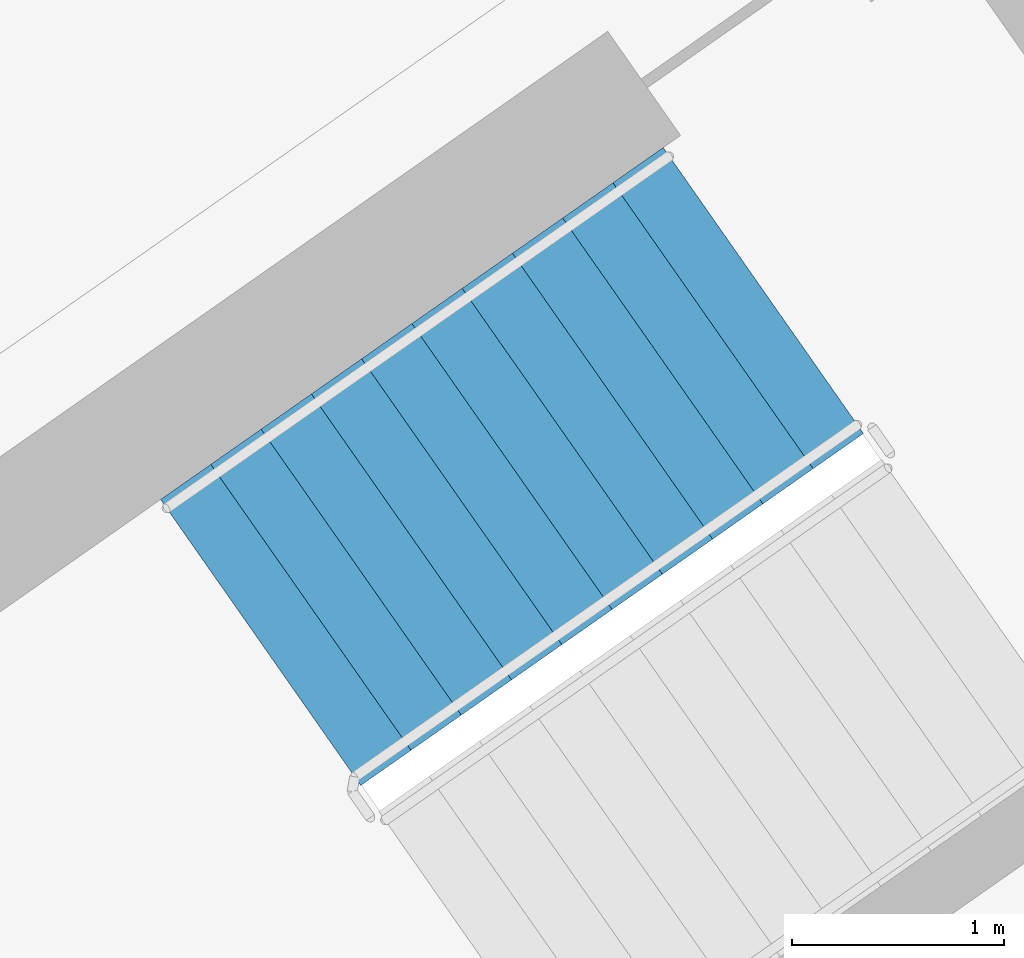
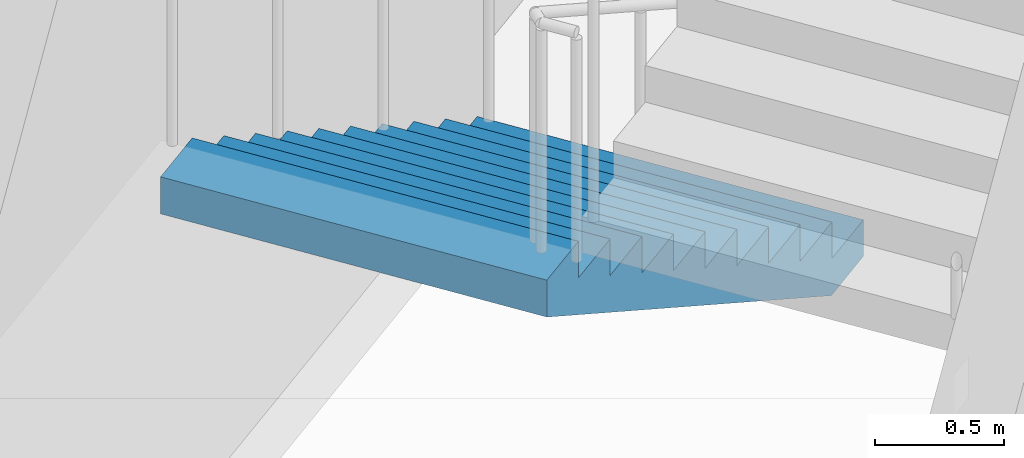
# One storey, part 16 of 27: 1 stair flight, 1 element without a shape of its own.
"""IFC4 building model written with IfcOpenShell, lengths in metres."""

from ifc_helpers import new_model, si_unit, direction, frame, origin, place, context, subcontext, project, spatial, faceted_brep, material, type_object, element, aggregate, save


model = new_model("IFC4")

# Units and contexts
model_context = context("Model", 3, precision=1e-05, world=origin(), true_north=direction((0.0, 1.0)))
body_context = subcontext(model_context, "Body", "Model", "MODEL_VIEW")
ifc_project = project(units=[si_unit("LENGTHUNIT", "METRE"), si_unit("AREAUNIT", "SQUARE_METRE"), si_unit("VOLUMEUNIT", "CUBIC_METRE"), si_unit("PLANEANGLEUNIT", "RADIAN"), si_unit("MASSUNIT", "GRAM", prefix="KILO")], contexts=[model_context])

# Site, building, storey
site_placement = place(None, origin())
site = spatial("IfcSite", under=ifc_project, at=site_placement, CompositionType="ELEMENT")
building_placement = place(site_placement, origin())
building = spatial("IfcBuilding", under=site, at=building_placement, Name="Qamariyya Broadcast Tower", CompositionType="ELEMENT")
storey_placement = place(building_placement, frame((0.0, 0.0, 222.699951171875)))
storey = spatial("IfcBuildingStorey", under=building, at=storey_placement, Name="L53", CompositionType="ELEMENT", Elevation=222.699951171875)

# Stair, stair flight
ifc_material = material(Name="Concrete C50/60", Category="concrete")
stair_type = type_object("IfcStairType", Name="Exit stair 22 risers of 173 mm", PredefinedType="HALF_TURN_STAIR", material=ifc_material)
stair_placement = place(storey_placement, origin())
stair = element("IfcStair", 1, at=stair_placement, inside=storey, type_object=stair_type, Name="L53 Stair E2", PredefinedType="HALF_TURN_STAIR")
stair_flight_type = type_object("IfcStairFlightType", Name="Exit stair flight 11 risers of 173 mm", PredefinedType="STRAIGHT", material=ifc_material)
stair_flight_placement = place(storey_placement, frame((40.558837890625, -47.685302734375, 0.0), z_axis=(0.0, 0.0, 1.0), x_axis=(-0.819152044289, -0.573576436351, 0.0)))
stair_flight = element("IfcStairFlight", 2, at=stair_flight_placement, type_object=stair_flight_type, Name="ST-E2 flight 1", NumberOfRisers=11, NumberOfTreads=10, PredefinedType="STRAIGHT", RiserHeight=0.172727273, TreadLength=0.29, context=body_context, shape_type="Brep", body=[
    faceted_brep([(0.0, 0.824951171875, 0.0), (0.0, 0.824951171875, 0.172607421875), (0.2900390625, 0.824951171875, 0.172607421875), (0.2900390625, 0.824951171875, 0.345458984375), (0.580078125, 0.824951171875, 0.345458984375), (0.580078125, 0.824951171875, 0.51806640625), (0.8701171875, 0.824951171875, 0.51806640625), (0.8701171875, 0.824951171875, 0.69091796875), (1.159912109375, 0.824951171875, 0.69091796875), (1.159912109375, 0.824951171875, 0.863525390625), (1.449951171875, 0.824951171875, 0.863525390625), (1.449951171875, 0.824951171875, 1.036376953125), (1.739990234375, 0.824951171875, 1.036376953125), (1.739990234375, 0.824951171875, 1.208984375), (2.030029296875, 0.824951171875, 1.208984375), (2.030029296875, 0.824951171875, 1.3818359375), (2.320068359375, 0.824951171875, 1.3818359375), (2.320068359375, 0.824951171875, 1.554443359375), (2.610107421875, 0.824951171875, 1.554443359375), (2.610107421875, 0.824951171875, 1.727294921875), (2.89990234375, 0.824951171875, 1.727294921875), (2.89990234375, 0.824951171875, 1.552734375), (0.29296875, 0.824951171875, 0.0), (0.29296875, -0.824951171875, 0.0), (2.89990234375, -0.824951171875, 1.552734375), (2.89990234375, -0.824951171875, 1.727294921875), (2.610107421875, -0.824951171875, 1.727294921875), (2.610107421875, -0.824951171875, 1.554443359375), (2.320068359375, -0.824951171875, 1.554443359375), (2.320068359375, -0.824951171875, 1.3818359375), (2.030029296875, -0.824951171875, 1.3818359375), (2.030029296875, -0.824951171875, 1.208984375), (1.739990234375, -0.824951171875, 1.208984375), (1.739990234375, -0.824951171875, 1.036376953125), (1.449951171875, -0.824951171875, 1.036376953125), (1.449951171875, -0.824951171875, 0.863525390625), (1.159912109375, -0.824951171875, 0.863525390625), (1.159912109375, -0.824951171875, 0.69091796875), (0.8701171875, -0.824951171875, 0.69091796875), (0.8701171875, -0.824951171875, 0.51806640625), (0.580078125, -0.824951171875, 0.51806640625), (0.580078125, -0.824951171875, 0.345458984375), (0.2900390625, -0.824951171875, 0.345458984375), (0.2900390625, -0.824951171875, 0.172607421875), (0.0, -0.824951171875, 0.172607421875), (0.0, -0.824951171875, 0.0), (0.0, 0.10009765625, 0.0), (0.0, 0.086669921875, 0.0), (0.0, 0.0732421875, 0.0), (0.0, 0.06005859375, 0.0), (0.0, 0.046630859375, 0.0), (0.0, 0.033447265625, 0.0), (0.0, 0.02001953125, 0.0), (0.0, 0.006591796875, 0.0), (0.0, -0.006591796875, 0.0), (0.0, -0.02001953125, 0.0), (0.0, -0.033447265625, 0.0), (0.0, -0.046630859375, 0.0), (0.0, -0.06005859375, 0.0), (0.0, -0.0732421875, 0.0), (0.0, -0.086669921875, 0.0), (0.0, -0.10009765625, 0.0), (0.0, -0.10009765625, 0.172607421875), (0.0, -0.086669921875, 0.172607421875), (0.0, -0.0732421875, 0.172607421875), (0.0, -0.06005859375, 0.172607421875), (0.0, -0.046630859375, 0.172607421875), (0.0, -0.033447265625, 0.172607421875), (0.0, -0.02001953125, 0.172607421875), (0.0, -0.006591796875, 0.172607421875), (0.0, 0.006591796875, 0.172607421875), (0.0, 0.02001953125, 0.172607421875), (0.0, 0.033447265625, 0.172607421875), (0.0, 0.046630859375, 0.172607421875), (0.0, 0.06005859375, 0.172607421875), (0.0, 0.0732421875, 0.172607421875), (0.0, 0.086669921875, 0.172607421875), (0.0, 0.10009765625, 0.172607421875), (0.2900390625, -0.10009765625, 0.172607421875), (0.2900390625, -0.086669921875, 0.172607421875), (0.2900390625, -0.0732421875, 0.172607421875), (0.2900390625, -0.06005859375, 0.172607421875), (0.2900390625, -0.046630859375, 0.172607421875), (0.2900390625, -0.033447265625, 0.172607421875), (0.2900390625, -0.02001953125, 0.172607421875), (0.2900390625, -0.006591796875, 0.172607421875), (0.2900390625, 0.006591796875, 0.172607421875), (0.2900390625, 0.02001953125, 0.172607421875), (0.2900390625, 0.033447265625, 0.172607421875), (0.2900390625, 0.046630859375, 0.172607421875), (0.2900390625, 0.06005859375, 0.172607421875), (0.2900390625, 0.0732421875, 0.172607421875), (0.2900390625, 0.086669921875, 0.172607421875), (0.2900390625, 0.10009765625, 0.172607421875), (0.2900390625, -0.10009765625, 0.345458984375), (0.2900390625, -0.086669921875, 0.345458984375), (0.2900390625, -0.0732421875, 0.345458984375), (0.2900390625, -0.06005859375, 0.345458984375), (0.2900390625, -0.046630859375, 0.345458984375), (0.2900390625, -0.033447265625, 0.345458984375), (0.2900390625, -0.02001953125, 0.345458984375), (0.2900390625, -0.006591796875, 0.345458984375), (0.2900390625, 0.006591796875, 0.345458984375), (0.2900390625, 0.02001953125, 0.345458984375), (0.2900390625, 0.033447265625, 0.345458984375), (0.2900390625, 0.046630859375, 0.345458984375), (0.2900390625, 0.06005859375, 0.345458984375), (0.2900390625, 0.0732421875, 0.345458984375), (0.2900390625, 0.086669921875, 0.345458984375), (0.2900390625, 0.10009765625, 0.345458984375), (0.580078125, -0.10009765625, 0.345458984375), (0.580078125, -0.086669921875, 0.345458984375), (0.580078125, -0.0732421875, 0.345458984375), (0.580078125, -0.06005859375, 0.345458984375), (0.580078125, -0.046630859375, 0.345458984375), (0.580078125, -0.033447265625, 0.345458984375), (0.580078125, -0.02001953125, 0.345458984375), (0.580078125, -0.006591796875, 0.345458984375), (0.580078125, 0.006591796875, 0.345458984375), (0.580078125, 0.02001953125, 0.345458984375), (0.580078125, 0.033447265625, 0.345458984375), (0.580078125, 0.046630859375, 0.345458984375), (0.580078125, 0.06005859375, 0.345458984375), (0.580078125, 0.0732421875, 0.345458984375), (0.580078125, 0.086669921875, 0.345458984375), (0.580078125, 0.10009765625, 0.345458984375), (0.580078125, -0.10009765625, 0.51806640625), (0.580078125, -0.086669921875, 0.51806640625), (0.580078125, -0.0732421875, 0.51806640625), (0.580078125, -0.06005859375, 0.51806640625), (0.580078125, -0.046630859375, 0.51806640625), (0.580078125, -0.033447265625, 0.51806640625), (0.580078125, -0.02001953125, 0.51806640625), (0.580078125, -0.006591796875, 0.51806640625), (0.580078125, 0.006591796875, 0.51806640625), (0.580078125, 0.02001953125, 0.51806640625), (0.580078125, 0.033447265625, 0.51806640625), (0.580078125, 0.046630859375, 0.51806640625), (0.580078125, 0.06005859375, 0.51806640625), (0.580078125, 0.0732421875, 0.51806640625), (0.580078125, 0.086669921875, 0.51806640625), (0.580078125, 0.10009765625, 0.51806640625), (0.8701171875, -0.10009765625, 0.51806640625), (0.8701171875, -0.086669921875, 0.51806640625), (0.8701171875, -0.0732421875, 0.51806640625), (0.8701171875, -0.06005859375, 0.51806640625), (0.8701171875, -0.046630859375, 0.51806640625), (0.8701171875, -0.033447265625, 0.51806640625), (0.8701171875, -0.02001953125, 0.51806640625), (0.8701171875, -0.006591796875, 0.51806640625), (0.8701171875, 0.006591796875, 0.51806640625), (0.8701171875, 0.02001953125, 0.51806640625), (0.8701171875, 0.033447265625, 0.51806640625), (0.8701171875, 0.046630859375, 0.51806640625), (0.8701171875, 0.06005859375, 0.51806640625), (0.8701171875, 0.0732421875, 0.51806640625), (0.8701171875, 0.086669921875, 0.51806640625), (0.8701171875, 0.10009765625, 0.51806640625), (0.8701171875, -0.10009765625, 0.69091796875), (0.8701171875, -0.086669921875, 0.69091796875), (0.8701171875, -0.0732421875, 0.69091796875), (0.8701171875, -0.06005859375, 0.69091796875), (0.8701171875, -0.046630859375, 0.69091796875), (0.8701171875, -0.033447265625, 0.69091796875), (0.8701171875, -0.02001953125, 0.69091796875), (0.8701171875, -0.006591796875, 0.69091796875), (0.8701171875, 0.006591796875, 0.69091796875), (0.8701171875, 0.02001953125, 0.69091796875), (0.8701171875, 0.033447265625, 0.69091796875), (0.8701171875, 0.046630859375, 0.69091796875), (0.8701171875, 0.06005859375, 0.69091796875), (0.8701171875, 0.0732421875, 0.69091796875), (0.8701171875, 0.086669921875, 0.69091796875), (0.8701171875, 0.10009765625, 0.69091796875), (1.159912109375, -0.10009765625, 0.69091796875), (1.159912109375, -0.086669921875, 0.69091796875), (1.159912109375, -0.0732421875, 0.69091796875), (1.159912109375, -0.06005859375, 0.69091796875), (1.159912109375, -0.046630859375, 0.69091796875), (1.159912109375, -0.033447265625, 0.69091796875), (1.159912109375, -0.02001953125, 0.69091796875), (1.159912109375, -0.006591796875, 0.69091796875), (1.159912109375, 0.006591796875, 0.69091796875), (1.159912109375, 0.02001953125, 0.69091796875), (1.159912109375, 0.033447265625, 0.69091796875), (1.159912109375, 0.046630859375, 0.69091796875), (1.159912109375, 0.06005859375, 0.69091796875), (1.159912109375, 0.0732421875, 0.69091796875), (1.159912109375, 0.086669921875, 0.69091796875), (1.159912109375, 0.10009765625, 0.69091796875), (1.159912109375, -0.10009765625, 0.863525390625), (1.159912109375, -0.086669921875, 0.863525390625), (1.159912109375, -0.0732421875, 0.863525390625), (1.159912109375, -0.06005859375, 0.863525390625), (1.159912109375, -0.046630859375, 0.863525390625), (1.159912109375, -0.033447265625, 0.863525390625), (1.159912109375, -0.02001953125, 0.863525390625), (1.159912109375, -0.006591796875, 0.863525390625), (1.159912109375, 0.006591796875, 0.863525390625), (1.159912109375, 0.02001953125, 0.863525390625), (1.159912109375, 0.033447265625, 0.863525390625), (1.159912109375, 0.046630859375, 0.863525390625), (1.159912109375, 0.06005859375, 0.863525390625), (1.159912109375, 0.0732421875, 0.863525390625), (1.159912109375, 0.086669921875, 0.863525390625), (1.159912109375, 0.10009765625, 0.863525390625), (1.449951171875, -0.10009765625, 0.863525390625), (1.449951171875, -0.086669921875, 0.863525390625), (1.449951171875, -0.0732421875, 0.863525390625), (1.449951171875, -0.06005859375, 0.863525390625), (1.449951171875, -0.046630859375, 0.863525390625), (1.449951171875, -0.033447265625, 0.863525390625), (1.449951171875, -0.02001953125, 0.863525390625), (1.449951171875, -0.006591796875, 0.863525390625), (1.449951171875, 0.006591796875, 0.863525390625), (1.449951171875, 0.02001953125, 0.863525390625), (1.449951171875, 0.033447265625, 0.863525390625), (1.449951171875, 0.046630859375, 0.863525390625), (1.449951171875, 0.06005859375, 0.863525390625), (1.449951171875, 0.0732421875, 0.863525390625), (1.449951171875, 0.086669921875, 0.863525390625), (1.449951171875, 0.10009765625, 0.863525390625), (1.449951171875, -0.10009765625, 1.036376953125), (1.449951171875, -0.086669921875, 1.036376953125), (1.449951171875, -0.0732421875, 1.036376953125), (1.449951171875, -0.06005859375, 1.036376953125), (1.449951171875, -0.046630859375, 1.036376953125), (1.449951171875, -0.033447265625, 1.036376953125), (1.449951171875, -0.02001953125, 1.036376953125), (1.449951171875, -0.006591796875, 1.036376953125), (1.449951171875, 0.006591796875, 1.036376953125), (1.449951171875, 0.02001953125, 1.036376953125), (1.449951171875, 0.033447265625, 1.036376953125), (1.449951171875, 0.046630859375, 1.036376953125), (1.449951171875, 0.06005859375, 1.036376953125), (1.449951171875, 0.0732421875, 1.036376953125), (1.449951171875, 0.086669921875, 1.036376953125), (1.449951171875, 0.10009765625, 1.036376953125), (1.739990234375, -0.10009765625, 1.036376953125), (1.739990234375, -0.086669921875, 1.036376953125), (1.739990234375, -0.0732421875, 1.036376953125), (1.739990234375, -0.06005859375, 1.036376953125), (1.739990234375, -0.046630859375, 1.036376953125), (1.739990234375, -0.033447265625, 1.036376953125), (1.739990234375, -0.02001953125, 1.036376953125), (1.739990234375, -0.006591796875, 1.036376953125), (1.739990234375, 0.006591796875, 1.036376953125), (1.739990234375, 0.02001953125, 1.036376953125), (1.739990234375, 0.033447265625, 1.036376953125), (1.739990234375, 0.046630859375, 1.036376953125), (1.739990234375, 0.06005859375, 1.036376953125), (1.739990234375, 0.0732421875, 1.036376953125), (1.739990234375, 0.086669921875, 1.036376953125), (1.739990234375, 0.10009765625, 1.036376953125), (1.739990234375, -0.10009765625, 1.208984375), (1.739990234375, -0.086669921875, 1.208984375), (1.739990234375, -0.0732421875, 1.208984375), (1.739990234375, -0.06005859375, 1.208984375), (1.739990234375, -0.046630859375, 1.208984375), (1.739990234375, -0.033447265625, 1.208984375), (1.739990234375, -0.02001953125, 1.208984375), (1.739990234375, -0.006591796875, 1.208984375), (1.739990234375, 0.006591796875, 1.208984375), (1.739990234375, 0.02001953125, 1.208984375), (1.739990234375, 0.033447265625, 1.208984375), (1.739990234375, 0.046630859375, 1.208984375), (1.739990234375, 0.06005859375, 1.208984375), (1.739990234375, 0.0732421875, 1.208984375), (1.739990234375, 0.086669921875, 1.208984375), (1.739990234375, 0.10009765625, 1.208984375), (2.030029296875, -0.10009765625, 1.208984375), (2.030029296875, -0.086669921875, 1.208984375), (2.030029296875, -0.0732421875, 1.208984375), (2.030029296875, -0.06005859375, 1.208984375), (2.030029296875, -0.046630859375, 1.208984375), (2.030029296875, -0.033447265625, 1.208984375), (2.030029296875, -0.02001953125, 1.208984375), (2.030029296875, -0.006591796875, 1.208984375), (2.030029296875, 0.006591796875, 1.208984375), (2.030029296875, 0.02001953125, 1.208984375), (2.030029296875, 0.033447265625, 1.208984375), (2.030029296875, 0.046630859375, 1.208984375), (2.030029296875, 0.06005859375, 1.208984375), (2.030029296875, 0.0732421875, 1.208984375), (2.030029296875, 0.086669921875, 1.208984375), (2.030029296875, 0.10009765625, 1.208984375), (2.030029296875, -0.10009765625, 1.3818359375), (2.030029296875, -0.086669921875, 1.3818359375), (2.030029296875, -0.0732421875, 1.3818359375), (2.030029296875, -0.06005859375, 1.3818359375), (2.030029296875, -0.046630859375, 1.3818359375), (2.030029296875, -0.033447265625, 1.3818359375), (2.030029296875, -0.02001953125, 1.3818359375), (2.030029296875, -0.006591796875, 1.3818359375), (2.030029296875, 0.006591796875, 1.3818359375), (2.030029296875, 0.02001953125, 1.3818359375), (2.030029296875, 0.033447265625, 1.3818359375), (2.030029296875, 0.046630859375, 1.3818359375), (2.030029296875, 0.06005859375, 1.3818359375), (2.030029296875, 0.0732421875, 1.3818359375), (2.030029296875, 0.086669921875, 1.3818359375), (2.030029296875, 0.10009765625, 1.3818359375), (2.320068359375, -0.10009765625, 1.3818359375), (2.320068359375, -0.086669921875, 1.3818359375), (2.320068359375, -0.0732421875, 1.3818359375), (2.320068359375, -0.06005859375, 1.3818359375), (2.320068359375, -0.046630859375, 1.3818359375), (2.320068359375, -0.033447265625, 1.3818359375), (2.320068359375, -0.02001953125, 1.3818359375), (2.320068359375, -0.006591796875, 1.3818359375), (2.320068359375, 0.006591796875, 1.3818359375), (2.320068359375, 0.02001953125, 1.3818359375), (2.320068359375, 0.033447265625, 1.3818359375), (2.320068359375, 0.046630859375, 1.3818359375), (2.320068359375, 0.06005859375, 1.3818359375), (2.320068359375, 0.0732421875, 1.3818359375), (2.320068359375, 0.086669921875, 1.3818359375), (2.320068359375, 0.10009765625, 1.3818359375), (2.320068359375, -0.10009765625, 1.554443359375), (2.320068359375, -0.086669921875, 1.554443359375), (2.320068359375, -0.0732421875, 1.554443359375), (2.320068359375, -0.06005859375, 1.554443359375), (2.320068359375, -0.046630859375, 1.554443359375), (2.320068359375, -0.033447265625, 1.554443359375), (2.320068359375, -0.02001953125, 1.554443359375), (2.320068359375, -0.006591796875, 1.554443359375), (2.320068359375, 0.006591796875, 1.554443359375), (2.320068359375, 0.02001953125, 1.554443359375), (2.320068359375, 0.033447265625, 1.554443359375), (2.320068359375, 0.046630859375, 1.554443359375), (2.320068359375, 0.06005859375, 1.554443359375), (2.320068359375, 0.0732421875, 1.554443359375), (2.320068359375, 0.086669921875, 1.554443359375), (2.320068359375, 0.10009765625, 1.554443359375), (2.610107421875, -0.10009765625, 1.554443359375), (2.610107421875, -0.086669921875, 1.554443359375), (2.610107421875, -0.0732421875, 1.554443359375), (2.610107421875, -0.06005859375, 1.554443359375), (2.610107421875, -0.046630859375, 1.554443359375), (2.610107421875, -0.033447265625, 1.554443359375), (2.610107421875, -0.02001953125, 1.554443359375), (2.610107421875, -0.006591796875, 1.554443359375), (2.610107421875, 0.006591796875, 1.554443359375), (2.610107421875, 0.02001953125, 1.554443359375), (2.610107421875, 0.033447265625, 1.554443359375), (2.610107421875, 0.046630859375, 1.554443359375), (2.610107421875, 0.06005859375, 1.554443359375), (2.610107421875, 0.0732421875, 1.554443359375), (2.610107421875, 0.086669921875, 1.554443359375), (2.610107421875, 0.10009765625, 1.554443359375), (2.610107421875, -0.10009765625, 1.727294921875), (2.610107421875, -0.086669921875, 1.727294921875), (2.610107421875, -0.0732421875, 1.727294921875), (2.610107421875, -0.06005859375, 1.727294921875), (2.610107421875, -0.046630859375, 1.727294921875), (2.610107421875, -0.033447265625, 1.727294921875), (2.610107421875, -0.02001953125, 1.727294921875), (2.610107421875, -0.006591796875, 1.727294921875), (2.610107421875, 0.006591796875, 1.727294921875), (2.610107421875, 0.02001953125, 1.727294921875), (2.610107421875, 0.033447265625, 1.727294921875), (2.610107421875, 0.046630859375, 1.727294921875), (2.610107421875, 0.06005859375, 1.727294921875), (2.610107421875, 0.0732421875, 1.727294921875), (2.610107421875, 0.086669921875, 1.727294921875), (2.610107421875, 0.10009765625, 1.727294921875), (2.89990234375, -0.10009765625, 1.727294921875), (2.89990234375, -0.086669921875, 1.727294921875), (2.89990234375, -0.0732421875, 1.727294921875), (2.89990234375, -0.06005859375, 1.727294921875), (2.89990234375, -0.046630859375, 1.727294921875), (2.89990234375, -0.033447265625, 1.727294921875), (2.89990234375, -0.02001953125, 1.727294921875), (2.89990234375, -0.006591796875, 1.727294921875), (2.89990234375, 0.006591796875, 1.727294921875), (2.89990234375, 0.02001953125, 1.727294921875), (2.89990234375, 0.033447265625, 1.727294921875), (2.89990234375, 0.046630859375, 1.727294921875), (2.89990234375, 0.06005859375, 1.727294921875), (2.89990234375, 0.0732421875, 1.727294921875), (2.89990234375, 0.086669921875, 1.727294921875), (2.89990234375, 0.10009765625, 1.727294921875), (2.89990234375, -0.10009765625, 1.552734375), (2.89990234375, -0.086669921875, 1.552734375), (2.89990234375, -0.0732421875, 1.552734375), (2.89990234375, -0.06005859375, 1.552734375), (2.89990234375, -0.046630859375, 1.552734375), (2.89990234375, -0.033447265625, 1.552734375), (2.89990234375, -0.02001953125, 1.552734375), (2.89990234375, -0.006591796875, 1.552734375), (2.89990234375, 0.006591796875, 1.552734375), (2.89990234375, 0.02001953125, 1.552734375), (2.89990234375, 0.033447265625, 1.552734375), (2.89990234375, 0.046630859375, 1.552734375), (2.89990234375, 0.06005859375, 1.552734375), (2.89990234375, 0.0732421875, 1.552734375), (2.89990234375, 0.086669921875, 1.552734375), (2.89990234375, 0.10009765625, 1.552734375), (0.29296875, -0.10009765625, 0.0), (0.29296875, -0.086669921875, 0.0), (0.29296875, -0.0732421875, 0.0), (0.29296875, -0.06005859375, 0.0), (0.29296875, -0.046630859375, 0.0), (0.29296875, -0.033447265625, 0.0), (0.29296875, -0.02001953125, 0.0), (0.29296875, -0.006591796875, 0.0), (0.29296875, 0.006591796875, 0.0), (0.29296875, 0.02001953125, 0.0), (0.29296875, 0.033447265625, 0.0), (0.29296875, 0.046630859375, 0.0), (0.29296875, 0.06005859375, 0.0), (0.29296875, 0.0732421875, 0.0), (0.29296875, 0.086669921875, 0.0), (0.29296875, 0.10009765625, 0.0)], [[[0, 1, 2, 3, 4, 5, 6, 7, 8, 9, 10, 11, 12, 13, 14, 15, 16, 17, 18, 19, 20, 21, 22]], [[23, 24, 25, 26, 27, 28, 29, 30, 31, 32, 33, 34, 35, 36, 37, 38, 39, 40, 41, 42, 43, 44, 45]], [[0, 46, 47, 48, 49, 50, 51, 52, 53, 54, 55, 56, 57, 58, 59, 60, 61, 45, 44, 62, 63, 64, 65, 66, 67, 68, 69, 70, 71, 72, 73, 74, 75, 76, 77, 1]], [[1, 77, 76, 75, 74, 73, 72, 71, 70, 69, 68, 67, 66, 65, 64, 63, 62, 44, 43, 78, 79, 80, 81, 82, 83, 84, 85, 86, 87, 88, 89, 90, 91, 92, 93, 2]], [[2, 93, 92, 91, 90, 89, 88, 87, 86, 85, 84, 83, 82, 81, 80, 79, 78, 43, 42, 94, 95, 96, 97, 98, 99, 100, 101, 102, 103, 104, 105, 106, 107, 108, 109, 3]], [[3, 109, 108, 107, 106, 105, 104, 103, 102, 101, 100, 99, 98, 97, 96, 95, 94, 42, 41, 110, 111, 112, 113, 114, 115, 116, 117, 118, 119, 120, 121, 122, 123, 124, 125, 4]], [[4, 125, 124, 123, 122, 121, 120, 119, 118, 117, 116, 115, 114, 113, 112, 111, 110, 41, 40, 126, 127, 128, 129, 130, 131, 132, 133, 134, 135, 136, 137, 138, 139, 140, 141, 5]], [[5, 141, 140, 139, 138, 137, 136, 135, 134, 133, 132, 131, 130, 129, 128, 127, 126, 40, 39, 142, 143, 144, 145, 146, 147, 148, 149, 150, 151, 152, 153, 154, 155, 156, 157, 6]], [[6, 157, 156, 155, 154, 153, 152, 151, 150, 149, 148, 147, 146, 145, 144, 143, 142, 39, 38, 158, 159, 160, 161, 162, 163, 164, 165, 166, 167, 168, 169, 170, 171, 172, 173, 7]], [[7, 173, 172, 171, 170, 169, 168, 167, 166, 165, 164, 163, 162, 161, 160, 159, 158, 38, 37, 174, 175, 176, 177, 178, 179, 180, 181, 182, 183, 184, 185, 186, 187, 188, 189, 8]], [[8, 189, 188, 187, 186, 185, 184, 183, 182, 181, 180, 179, 178, 177, 176, 175, 174, 37, 36, 190, 191, 192, 193, 194, 195, 196, 197, 198, 199, 200, 201, 202, 203, 204, 205, 9]], [[9, 205, 204, 203, 202, 201, 200, 199, 198, 197, 196, 195, 194, 193, 192, 191, 190, 36, 35, 206, 207, 208, 209, 210, 211, 212, 213, 214, 215, 216, 217, 218, 219, 220, 221, 10]], [[10, 221, 220, 219, 218, 217, 216, 215, 214, 213, 212, 211, 210, 209, 208, 207, 206, 35, 34, 222, 223, 224, 225, 226, 227, 228, 229, 230, 231, 232, 233, 234, 235, 236, 237, 11]], [[11, 237, 236, 235, 234, 233, 232, 231, 230, 229, 228, 227, 226, 225, 224, 223, 222, 34, 33, 238, 239, 240, 241, 242, 243, 244, 245, 246, 247, 248, 249, 250, 251, 252, 253, 12]], [[12, 253, 252, 251, 250, 249, 248, 247, 246, 245, 244, 243, 242, 241, 240, 239, 238, 33, 32, 254, 255, 256, 257, 258, 259, 260, 261, 262, 263, 264, 265, 266, 267, 268, 269, 13]], [[13, 269, 268, 267, 266, 265, 264, 263, 262, 261, 260, 259, 258, 257, 256, 255, 254, 32, 31, 270, 271, 272, 273, 274, 275, 276, 277, 278, 279, 280, 281, 282, 283, 284, 285, 14]], [[14, 285, 284, 283, 282, 281, 280, 279, 278, 277, 276, 275, 274, 273, 272, 271, 270, 31, 30, 286, 287, 288, 289, 290, 291, 292, 293, 294, 295, 296, 297, 298, 299, 300, 301, 15]], [[15, 301, 300, 299, 298, 297, 296, 295, 294, 293, 292, 291, 290, 289, 288, 287, 286, 30, 29, 302, 303, 304, 305, 306, 307, 308, 309, 310, 311, 312, 313, 314, 315, 316, 317, 16]], [[16, 317, 316, 315, 314, 313, 312, 311, 310, 309, 308, 307, 306, 305, 304, 303, 302, 29, 28, 318, 319, 320, 321, 322, 323, 324, 325, 326, 327, 328, 329, 330, 331, 332, 333, 17]], [[17, 333, 332, 331, 330, 329, 328, 327, 326, 325, 324, 323, 322, 321, 320, 319, 318, 28, 27, 334, 335, 336, 337, 338, 339, 340, 341, 342, 343, 344, 345, 346, 347, 348, 349, 18]], [[18, 349, 348, 347, 346, 345, 344, 343, 342, 341, 340, 339, 338, 337, 336, 335, 334, 27, 26, 350, 351, 352, 353, 354, 355, 356, 357, 358, 359, 360, 361, 362, 363, 364, 365, 19]], [[19, 365, 364, 363, 362, 361, 360, 359, 358, 357, 356, 355, 354, 353, 352, 351, 350, 26, 25, 366, 367, 368, 369, 370, 371, 372, 373, 374, 375, 376, 377, 378, 379, 380, 381, 20]], [[20, 381, 380, 379, 378, 377, 376, 375, 374, 373, 372, 371, 370, 369, 368, 367, 366, 25, 24, 382, 383, 384, 385, 386, 387, 388, 389, 390, 391, 392, 393, 394, 395, 396, 397, 21]], [[21, 397, 396, 395, 394, 393, 392, 391, 390, 389, 388, 387, 386, 385, 384, 383, 382, 24, 23, 398, 399, 400, 401, 402, 403, 404, 405, 406, 407, 408, 409, 410, 411, 412, 413, 22]], [[22, 413, 412, 411, 410, 409, 408, 407, 406, 405, 404, 403, 402, 401, 400, 399, 398, 23, 45, 61, 60, 59, 58, 57, 56, 55, 54, 53, 52, 51, 50, 49, 48, 47, 46, 0]]]),
])
aggregate(stair, [stair_flight])

save(model, "model.ifc")
